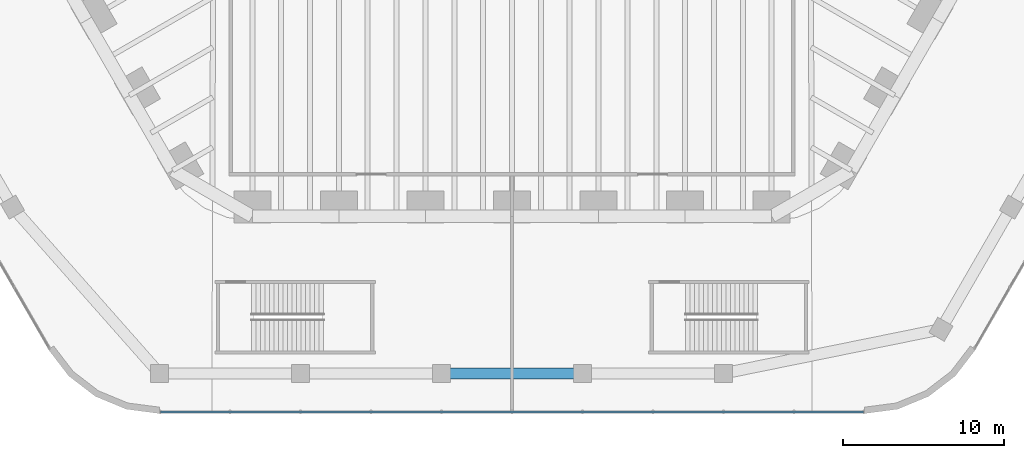
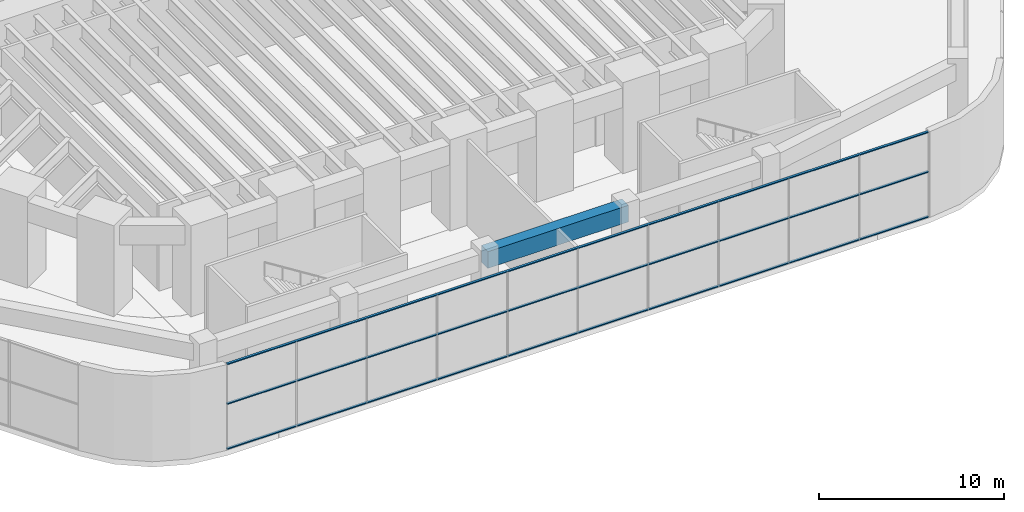
# One storey, part 6 of 31: 3 members, 1 beam, 1 element without a shape of its own.
"""IFC4 building model written with IfcOpenShell, lengths in metres."""

from ifc_helpers import new_model, si_unit, direction, frame, origin, origin_2d, place, context, subcontext, project, spatial, rectangle, extrude, material, material_profile, profile_set, type_object, element, aggregate, save


model = new_model("IFC4")

# Units and contexts
model_context = context("Model", 3, precision=1e-05, world=origin(), true_north=direction((0.0, 1.0)))
body_context = subcontext(model_context, "Body", "Model", "MODEL_VIEW")
ifc_project = project(units=[si_unit("LENGTHUNIT", "METRE"), si_unit("AREAUNIT", "SQUARE_METRE"), si_unit("VOLUMEUNIT", "CUBIC_METRE"), si_unit("PLANEANGLEUNIT", "RADIAN"), si_unit("MASSUNIT", "GRAM", prefix="KILO")], contexts=[model_context])

# Site, building, storey
site_placement = place(None, origin())
site = spatial("IfcSite", under=ifc_project, at=site_placement, CompositionType="ELEMENT")
building_placement = place(site_placement, origin())
building = spatial("IfcBuilding", under=site, at=building_placement, Name="Tarfa Lantern Tower", CompositionType="ELEMENT")
storey_placement = place(building_placement, frame((0.0, 0.0, 7.0)))
storey = spatial("IfcBuildingStorey", under=building, at=storey_placement, Name="L01", CompositionType="ELEMENT", Elevation=7.0)

# Curtain wall, members
ifc_material_1 = material(Name="Aluminium framed curtain wall", Category="aluminium")
curtain_wall_type = type_object("IfcCurtainWallType", Name="CW7 PODIUM GLAZING 5650", PredefinedType="USERDEFINED", material=ifc_material_1)
curtain_wall_placement = place(storey_placement, origin())
curtain_wall = element("IfcCurtainWall", 1, at=curtain_wall_placement, inside=storey, type_object=curtain_wall_type, Name="CW7 S L01", ObjectType="CURTAIN WALL", PredefinedType="USERDEFINED")
ifc_material_2 = material(Name="Aluminium transom", Category="aluminium")
ifc_material_profile_1 = material_profile(ifc_material_2, rectangle(XDim=0.14990234375, YDim=0.06494140625, at=origin_2d()), Name="AL TRANSOM 150x65")
ifc_profile_set_1 = profile_set([ifc_material_profile_1], Name="Aluminium transom")
member_type = type_object("IfcMemberType", Name="CWT1 TRANSOM 150x65", PredefinedType="USERDEFINED", material=ifc_profile_set_1)
member_1_placement = place(storey_placement, frame((-21.874267578125, -45.89990234375, 0.032470703125), z_axis=(1.0, 0.0, 0.0), x_axis=(0.0, 1.0, 0.0)))
member_1 = element("IfcMember", 2, at=member_1_placement, type_object=member_type, Name="CW7 transom 1.1", ObjectType="TRANSOM", PredefinedType="USERDEFINED", context=body_context, shape_type="SweptSolid", body=[
    extrude(rectangle(XDim=0.14990234375, YDim=0.06494140625, at=origin_2d()), origin(), (0.0, 0.0, 1.0), 43.74853515625),
])
member_2_placement = place(storey_placement, frame((-21.874267578125, -45.89990234375, 3.0), z_axis=(1.0, 0.0, 0.0), x_axis=(0.0, 1.0, 0.0)))
member_2 = element("IfcMember", 3, at=member_2_placement, type_object=member_type, Name="CW7 transom 1.2", ObjectType="TRANSOM", PredefinedType="USERDEFINED", context=body_context, shape_type="SweptSolid", body=[
    extrude(rectangle(XDim=0.14990234375, YDim=0.06494140625, at=origin_2d()), origin(), (0.0, 0.0, 1.0), 43.74853515625),
])
member_3_placement = place(storey_placement, frame((-21.874267578125, -45.89990234375, 5.617431640625), z_axis=(1.0, 0.0, 0.0), x_axis=(0.0, 1.0, 0.0)))
member_3 = element("IfcMember", 4, at=member_3_placement, type_object=member_type, Name="CW7 transom 1.3", ObjectType="TRANSOM", PredefinedType="USERDEFINED", context=body_context, shape_type="SweptSolid", body=[
    extrude(rectangle(XDim=0.14990234375, YDim=0.06494140625, at=origin_2d()), origin(), (0.0, 0.0, 1.0), 43.74853515625),
])
aggregate(curtain_wall, [member_1, member_2, member_3])

# Beam
ifc_material_3 = material(Name="Concrete C80/95", Category="concrete")
ifc_material_profile_2 = material_profile(ifc_material_3, rectangle(XDim=0.699951171875, YDim=1.10009765625, at=origin_2d()), Name="RC 700x1100")
ifc_profile_set_2 = profile_set([ifc_material_profile_2], Name="Concrete C80/95")
beam_type = type_object("IfcBeamType", Name="PB1 RC 700x1100", PredefinedType="BEAM", material=ifc_profile_set_2)
beam_placement = place(storey_placement, frame((-4.387939453125, -43.5, 5.10009765625), z_axis=(1.0, 0.0, 0.0), x_axis=(0.0, 1.0, 0.0)))
element("IfcBeam", 5, at=beam_placement, inside=storey, type_object=beam_type, Name="Podium ring beam S2", PredefinedType="BEAM", context=body_context, shape_type="SweptSolid", body=[
    extrude(rectangle(XDim=0.699951171875, YDim=1.10009765625, at=origin_2d()), origin(), (0.0, 0.0, 1.0), 8.77587890625),
])

save(model, "model.ifc")
